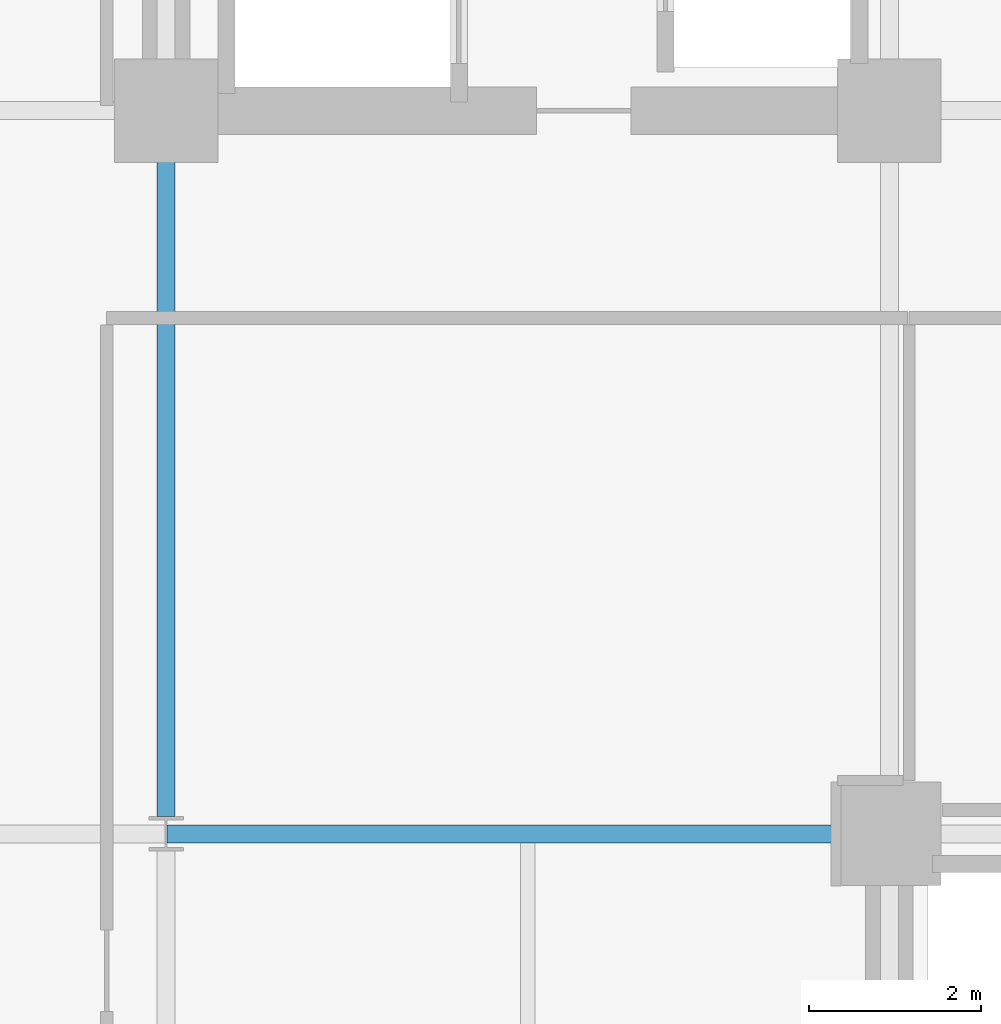
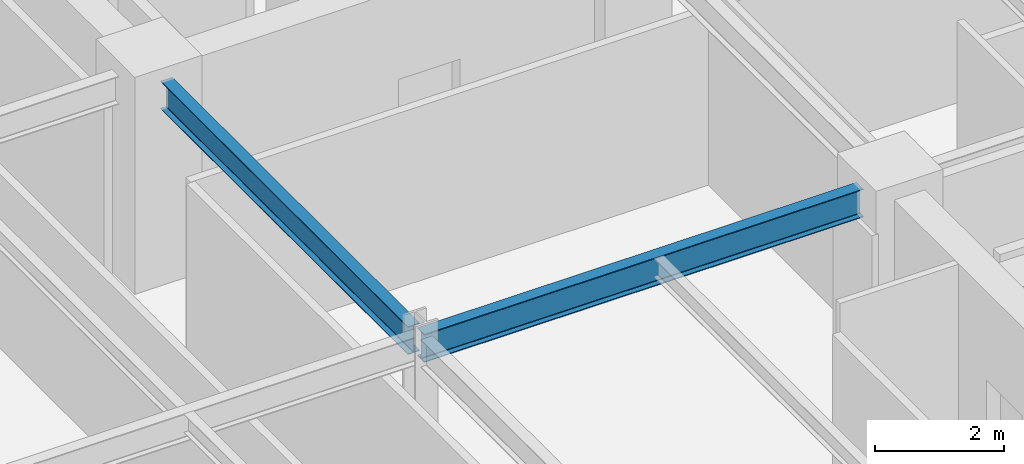
# One storey, part 12 of 39: 2 beams.
"""IFC4 building model written with IfcOpenShell, lengths in metres."""

from ifc_helpers import new_model, si_unit, direction, frame, origin, origin_2d, place, context, subcontext, project, spatial, i_section, extrude, material, material_profile, profile_set, type_object, element, save


model = new_model("IFC4")

# Units and contexts
model_context = context("Model", 3, precision=1e-05, world=origin(), true_north=direction((0.0, 1.0)))
body_context = subcontext(model_context, "Body", "Model", "MODEL_VIEW")
ifc_project = project(units=[si_unit("LENGTHUNIT", "METRE"), si_unit("AREAUNIT", "SQUARE_METRE"), si_unit("VOLUMEUNIT", "CUBIC_METRE"), si_unit("PLANEANGLEUNIT", "RADIAN"), si_unit("MASSUNIT", "GRAM", prefix="KILO")], contexts=[model_context])

# Site, building, storey
site_placement = place(None, origin())
site = spatial("IfcSite", under=ifc_project, at=site_placement, CompositionType="ELEMENT")
building_placement = place(site_placement, origin())
building = spatial("IfcBuilding", under=site, at=building_placement, Name="Nerrivon Quay Data Exchange", CompositionType="ELEMENT")
storey_placement = place(building_placement, frame((0.0, 0.0, 92.60009765625)))
storey = spatial("IfcBuildingStorey", under=building, at=storey_placement, Name="L21", CompositionType="ELEMENT", Elevation=92.60009765625)

# Beams
ifc_material = material(Name="Steel Grade 350", Category="steel")
ifc_material_profile_1 = material_profile(ifc_material, i_section(OverallWidth=0.208984375, OverallDepth=0.532958984375, WebThickness=0.01025390625, FlangeThickness=0.015625, FilletRadius=0.013916015625, at=origin_2d()), Name="530UB92.4")
ifc_profile_set_1 = profile_set([ifc_material_profile_1], Name="Steel Grade 350")
beam_type_1 = type_object("IfcBeamType", Name="BM-G3-530UB92", PredefinedType="BEAM", material=ifc_profile_set_1)
beam_1_placement = place(storey_placement, frame((8.41259765625, 16.800048828125, 3.558349609375), z_axis=(1.0, 0.0, 0.0), x_axis=(0.0, 1.0, 0.0)))
element("IfcBeam", 1, at=beam_1_placement, inside=storey, type_object=beam_type_1, Name="L21 EW Girder Y=16.8 (8.4..16.8)", PredefinedType="BEAM", context=body_context, shape_type="SweptSolid", body=[
    extrude(i_section(OverallWidth=0.208984375, OverallDepth=0.532958984375, WebThickness=0.01025390625, FlangeThickness=0.015625, FilletRadius=0.013916015625, at=origin_2d()), origin(), (0.0, 0.0, 1.0), 7.847412109375),
])
ifc_material_profile_2 = material_profile(ifc_material, i_section(OverallWidth=0.208984375, OverallDepth=0.528076171875, WebThickness=0.009521484375, FlangeThickness=0.01318359375, FilletRadius=0.013916015625, at=origin_2d()), Name="530UB82.0")
ifc_profile_set_2 = profile_set([ifc_material_profile_2], Name="Steel Grade 350")
beam_type_2 = type_object("IfcBeamType", Name="BM-G4-530UB82", PredefinedType="BEAM", material=ifc_profile_set_2)
beam_2_placement = place(storey_placement, frame((8.39990234375, 17.0, 3.560791015625), z_axis=(0.0, 1.0, 0.0), x_axis=(-1.0, 0.0, 0.0)))
element("IfcBeam", 2, at=beam_2_placement, inside=storey, type_object=beam_type_2, Name="L21 NS Girder X=8.4 (16.8..25.2)", PredefinedType="BEAM", context=body_context, shape_type="SweptSolid", body=[
    extrude(i_section(OverallWidth=0.208984375, OverallDepth=0.528076171875, WebThickness=0.009521484375, FlangeThickness=0.01318359375, FilletRadius=0.013916015625, at=origin_2d()), origin(), (0.0, 0.0, 1.0), 7.659912109375),
])

save(model, "model.ifc")
